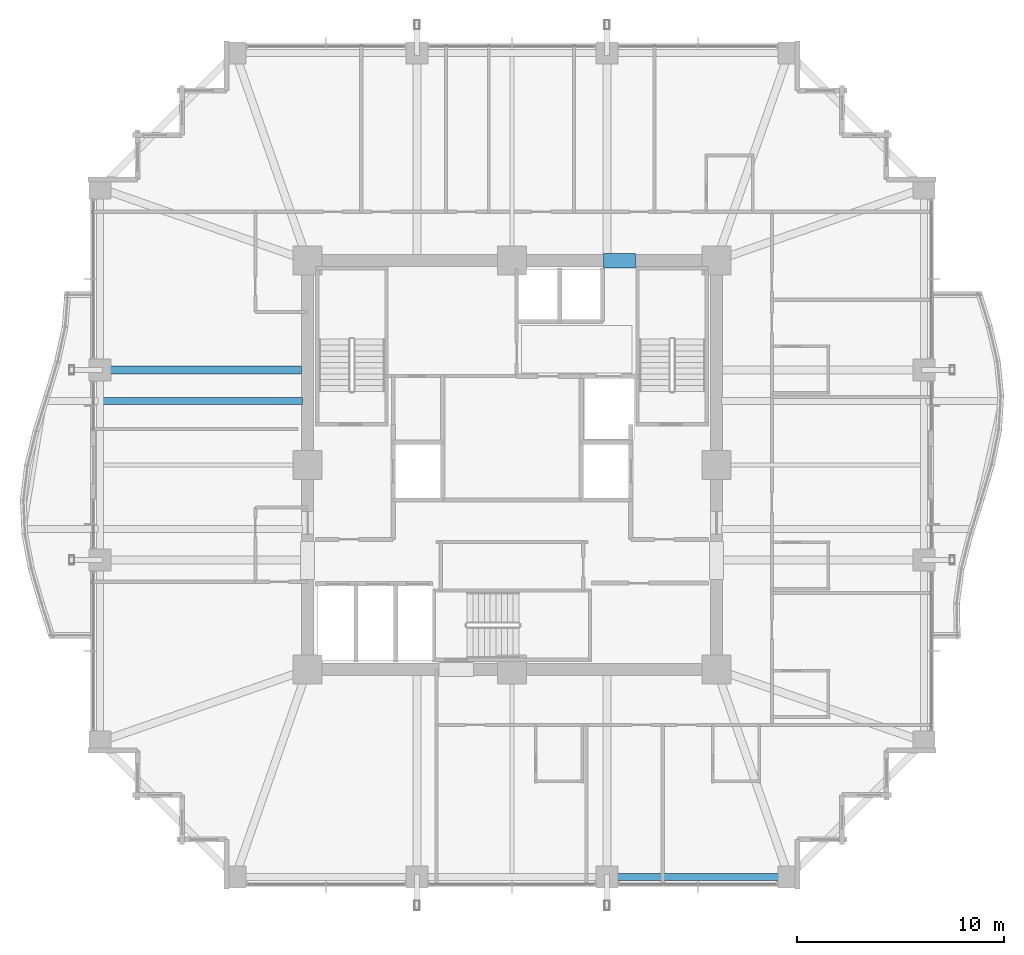
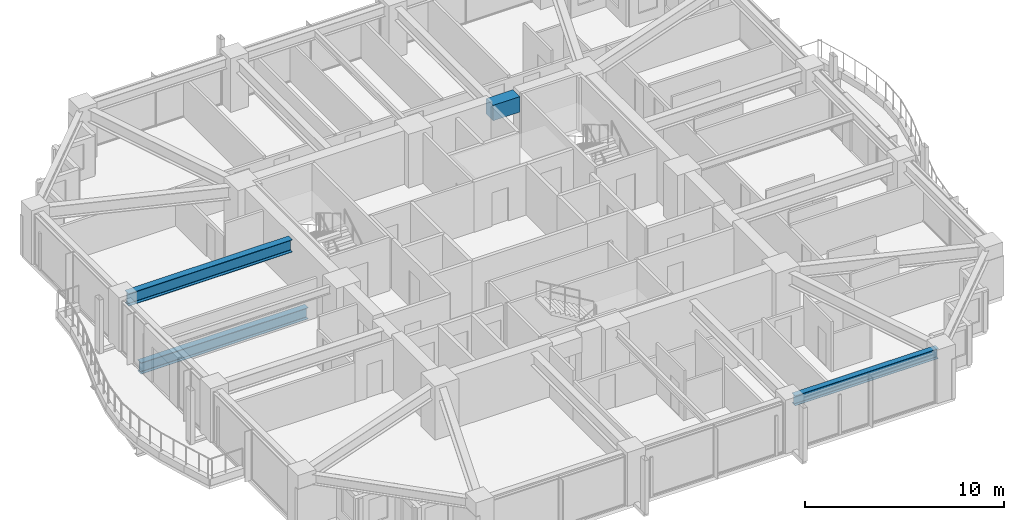
# One storey, part 10 of 37: 4 beams.
"""IFC4 building model written with IfcOpenShell, lengths in metres."""

from ifc_helpers import new_model, si_unit, direction, frame, origin, origin_2d, place, context, subcontext, project, spatial, rectangle, i_section, extrude, material, material_profile, profile_set, type_object, element, save


model = new_model("IFC4")

# Units and contexts
model_context = context("Model", 3, precision=1e-05, world=origin(), true_north=direction((0.0, 1.0)))
body_context = subcontext(model_context, "Body", "Model", "MODEL_VIEW")
ifc_project = project(units=[si_unit("LENGTHUNIT", "METRE"), si_unit("AREAUNIT", "SQUARE_METRE"), si_unit("VOLUMEUNIT", "CUBIC_METRE"), si_unit("PLANEANGLEUNIT", "RADIAN"), si_unit("MASSUNIT", "GRAM", prefix="KILO")], contexts=[model_context])

# Site, building, storey
site_placement = place(None, origin())
site = spatial("IfcSite", under=ifc_project, at=site_placement, CompositionType="ELEMENT")
building_placement = place(site_placement, origin())
building = spatial("IfcBuilding", under=site, at=building_placement, Name="Kolvaren Belvedere", CompositionType="ELEMENT")
storey_placement = place(building_placement, frame((0.0, 0.0, 75.5)))
storey = spatial("IfcBuildingStorey", under=building, at=storey_placement, Name="L21", CompositionType="ELEMENT", Elevation=75.5)

# Beams
ifc_material_1 = material(Name="Structural steel ASTM A992 Grade 50", Category="steel")
ifc_material_profile_1 = material_profile(ifc_material_1, i_section(OverallWidth=0.35498046875, OverallDepth=0.696044921875, WebThickness=0.015380859375, FlangeThickness=0.02490234375, FilletRadius=0.02197265625, at=origin_2d()), Name="W27X146")
ifc_profile_set_1 = profile_set([ifc_material_profile_1], Name="Structural steel ASTM A992 Grade 50")
beam_type_1 = type_object("IfcBeamType", Name="BM-GIRD-W27X146", PredefinedType="BEAM", material=ifc_profile_set_1)
beam_1_placement = place(storey_placement, frame((-10.139892578125, 3.10009765625, -0.568115234375), z_axis=(-1.0, 0.0, 0.0), x_axis=(0.0, -1.0, 0.0)))
element("IfcBeam", 1, at=beam_1_placement, inside=storey, type_object=beam_type_1, Name="L21 Balcony Interior Back-Span Girder BAL-W-2", PredefinedType="BEAM", context=body_context, shape_type="SweptSolid", body=[
    extrude(i_section(OverallWidth=0.35498046875, OverallDepth=0.696044921875, WebThickness=0.015380859375, FlangeThickness=0.02490234375, FilletRadius=0.02197265625, at=origin_2d()), origin(), (0.0, 0.0, 1.0), 9.715087890625),
])
ifc_material_2 = material(Name="Structural steel ASTM A992 Grade 50", Category="steel")
ifc_material_profile_2 = material_profile(ifc_material_2, i_section(OverallWidth=0.381103515625, OverallDepth=0.77294921875, WebThickness=0.0166015625, FlangeThickness=0.027099609375, FilletRadius=0.02392578125, at=origin_2d()), Name="W30X173")
ifc_profile_set_2 = profile_set([ifc_material_profile_2], Name="Structural steel ASTM A992 Grade 50")
beam_type_2 = type_object("IfcBeamType", Name="BM-GIRD-W30X173", PredefinedType="BEAM", material=ifc_profile_set_2)
beam_2_placement = place(storey_placement, frame((-10.199951171875, 4.60009765625, 2.693603515625), z_axis=(-1.0, 0.0, 0.0), x_axis=(0.0, -1.0, 0.0)))
element("IfcBeam", 2, at=beam_2_placement, inside=storey, type_object=beam_type_2, Name="L21 West Radial Girder P", PredefinedType="BEAM", context=body_context, shape_type="SweptSolid", body=[
    extrude(i_section(OverallWidth=0.381103515625, OverallDepth=0.77294921875, WebThickness=0.0166015625, FlangeThickness=0.027099609375, FilletRadius=0.02392578125, at=origin_2d()), origin(), (0.0, 0.0, 1.0), 9.513916015625),
])
ifc_material_3 = material(Name="Concrete C60/75", Category="concrete")
ifc_material_profile_3 = material_profile(ifc_material_3, rectangle(XDim=0.699951171875, YDim=0.949951171875, at=origin_2d()), Name="RC 700X950")
ifc_profile_set_3 = profile_set([ifc_material_profile_3], Name="Concrete C60/75")
beam_type_3 = type_object("IfcBeamType", Name="BM-LINT-950", PredefinedType="LINTEL", material=ifc_profile_set_3)
beam_3_placement = place(storey_placement, frame((4.419921875, 9.89990234375, 2.60498046875), z_axis=(1.0, 0.0, 0.0), x_axis=(0.0, 1.0, 0.0)))
element("IfcBeam", 3, at=beam_3_placement, inside=storey, type_object=beam_type_3, Name="L21 North Core Coupling Lintel", PredefinedType="LINTEL", context=body_context, shape_type="SweptSolid", body=[
    extrude(rectangle(XDim=0.699951171875, YDim=0.949951171875, at=origin_2d()), origin(), (0.0, 0.0, 1.0), 1.56005859375),
])
ifc_material_4 = material(Name="Structural steel ASTM A992 Grade 50", Category="steel")
ifc_material_profile_4 = material_profile(ifc_material_4, i_section(OverallWidth=0.324951171875, OverallDepth=0.615966796875, WebThickness=0.013916015625, FlangeThickness=0.021484375, FilletRadius=0.02001953125, at=origin_2d()), Name="W24X117")
ifc_profile_set_4 = profile_set([ifc_material_profile_4], Name="Structural steel ASTM A992 Grade 50")
beam_type_4 = type_object("IfcBeamType", Name="BM-SPAN-W24X117", PredefinedType="SPANDREL", material=ifc_profile_set_4)
beam_4_placement = place(storey_placement, frame((4.836181640625, -19.949951171875, 2.77197265625), z_axis=(1.0, 0.0, 0.0), x_axis=(0.0, 1.0, 0.0)))
element("IfcBeam", 4, at=beam_4_placement, inside=storey, type_object=beam_type_4, Name="L21 Perimeter Spandrel S3-S4", PredefinedType="SPANDREL", context=body_context, shape_type="SweptSolid", body=[
    extrude(i_section(OverallWidth=0.324951171875, OverallDepth=0.615966796875, WebThickness=0.013916015625, FlangeThickness=0.021484375, FilletRadius=0.02001953125, at=origin_2d()), origin(), (0.0, 0.0, 1.0), 8.32763671875),
])

save(model, "model.ifc")
